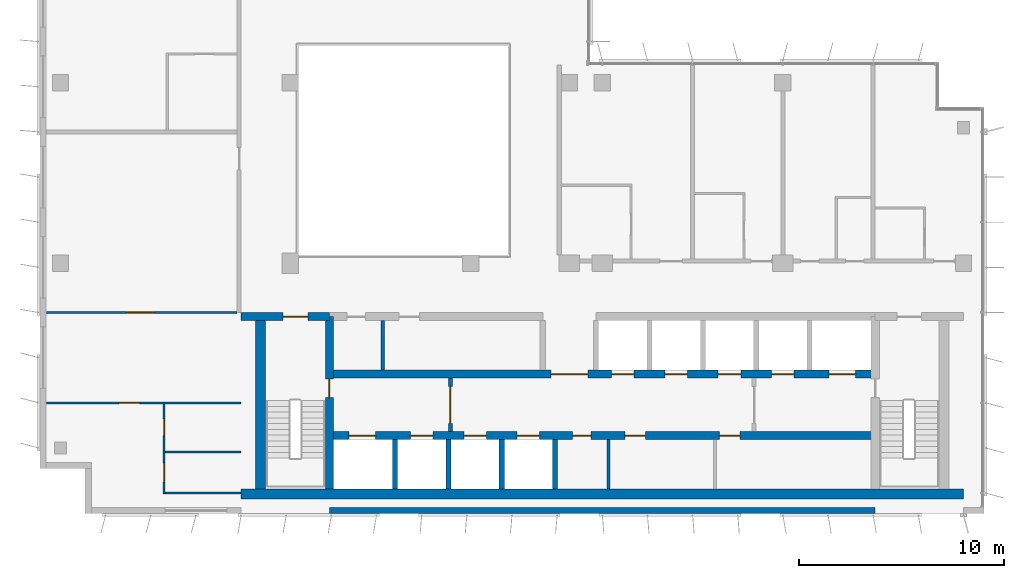
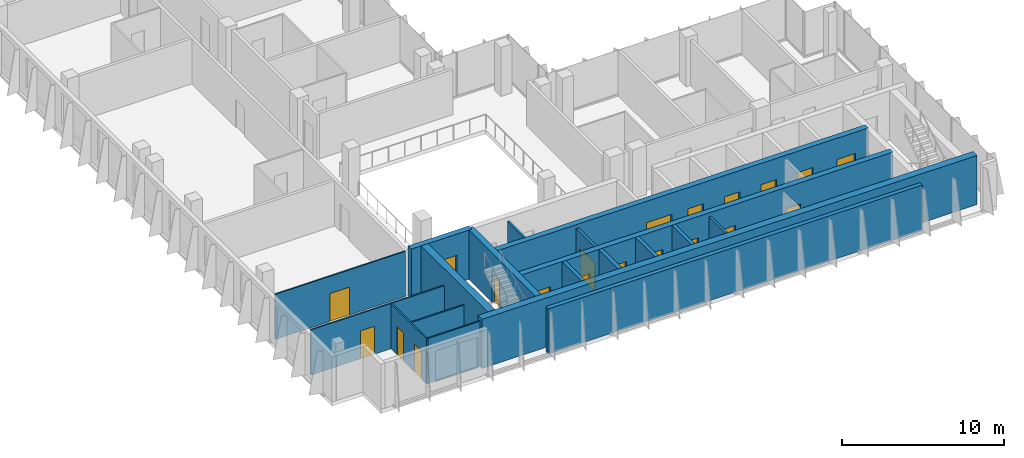
# One storey, part 9 of 15: 20 doors, 19 walls, 20 openings.
"""IFC4 building model written with IfcOpenShell, lengths in metres."""

from ifc_helpers import new_model, si_unit, direction, frame, frame_2d, origin, place, context, subcontext, project, spatial, rectangle, extrude, material, layer, layer_set, type_object, element, fill, save


model = new_model("IFC4")

# Units and contexts
model_context = context("Model", 3, precision=1e-05, world=origin(), true_north=direction((0.0, 1.0)))
body_context = subcontext(model_context, "Body", "Model", "MODEL_VIEW")
ifc_project = project(units=[si_unit("LENGTHUNIT", "METRE"), si_unit("AREAUNIT", "SQUARE_METRE"), si_unit("VOLUMEUNIT", "CUBIC_METRE"), si_unit("PLANEANGLEUNIT", "RADIAN"), si_unit("MASSUNIT", "GRAM", prefix="KILO")], contexts=[model_context])

# Site, building, storey
site_placement = place(None, origin())
site = spatial("IfcSite", under=ifc_project, at=site_placement, CompositionType="ELEMENT")
building_placement = place(site_placement, origin())
building = spatial("IfcBuilding", under=site, at=building_placement, Name="Kemantara Hotel Tower", CompositionType="ELEMENT")
storey_placement = place(building_placement, frame((0.0, 0.0, 290.699951171875)))
storey = spatial("IfcBuildingStorey", under=building, at=storey_placement, Name="L73", CompositionType="ELEMENT", Elevation=290.699951171875)

# Walls
ifc_material_1 = material(Name="Bronze anodised aluminium cladding on insulated steel stud wall", Category="steel")
ifc_layer_1 = layer(ifc_material_1, 0.300048828125)
ifc_layer_set_1 = layer_set([ifc_layer_1], Name="Bronze anodised aluminium cladding on insulated steel stud wall")
wall_type_1 = type_object("IfcWallType", Name="BRONZE METAL-CLAD EXTERNAL WALL 300", PredefinedType="STANDARD", material=ifc_layer_set_1)
wall_1_placement = place(storey_placement, frame((14.10009765625, 0.14990234375, 0.0), z_axis=(0.0, 0.0, 1.0), x_axis=(1.0, 0.0, 0.0)))
element("IfcWall", 1, at=wall_1_placement, inside=storey, type_object=wall_type_1, Name="EXTERNAL WALL L73 T4-R08-2", PredefinedType="STANDARD", context=body_context, shape_type="SweptSolid", body=[
    extrude(rectangle(XDim=26.599853515625, YDim=0.300048828125, at=frame_2d((13.2998046875, 0.0))), origin(), (0.0, 0.0, 1.0), 3.400146484375),
])
ifc_material_2 = material(Name="Concrete fc 50 MPa", Category="concrete")
ifc_layer_2 = layer(ifc_material_2, 0.25)
ifc_layer_set_2 = layer_set([ifc_layer_2], Name="Concrete fc 50 MPa")
wall_type_2 = type_object("IfcWallType", Name="CORE WALL 250 FC50", PredefinedType="SHEAR", material=ifc_layer_set_2)
for number, where, z_axis, x_axis, name in (
    (2, (17.300048828125, 1.199951171875, 0.0), (0.0, 0.0, 1.0), (0.0, 1.0, 0.0), "CORE WALL CW-DS17.3"),
    (3, (19.89990234375, 1.199951171875, 0.0), (0.0, 0.0, 1.0), (0.0, 1.0, 0.0), "CORE WALL CW-DS19.9"),
    (4, (22.5, 1.199951171875, 0.0), (0.0, 0.0, 1.0), (0.0, 1.0, 0.0), "CORE WALL CW-DS22.5"),
    (5, (25.10009765625, 1.199951171875, 0.0), (0.0, 0.0, 1.0), (0.0, 1.0, 0.0), "CORE WALL CW-DS25.1"),
):
    element("IfcWall", number, at=place(storey_placement, frame(where, z_axis=z_axis, x_axis=x_axis)), inside=storey, type_object=wall_type_2, Name=name, PredefinedType="SHEAR", context=body_context, shape_type="SweptSolid", body=[
        extrude(rectangle(XDim=2.400146484375, YDim=0.25, at=frame_2d((1.2001953125, 0.0))), origin(), (0.0, 0.0, 1.0), 3.699951171875),
    ])

# Wall, opening, door
ifc_layer_3 = layer(ifc_material_2, 0.39990234375)
ifc_layer_set_3 = layer_set([ifc_layer_3], Name="Concrete fc 50 MPa")
wall_type_3 = type_object("IfcWallType", Name="CORE WALL 400 FC50", PredefinedType="SHEAR", material=ifc_layer_set_3)
wall_2_placement = place(storey_placement, frame((9.800048828125, 9.60009765625, 0.0), z_axis=(0.0, 0.0, 1.0), x_axis=(1.0, 0.0, 0.0)))
wall_2 = element("IfcWall", 6, at=wall_2_placement, inside=storey, type_object=wall_type_3, Name="CORE WALL CW-N1", PredefinedType="SHEAR", context=body_context, shape_type="SweptSolid", body=[
    extrude(rectangle(XDim=4.300048828125, YDim=0.39990234375, at=frame_2d((2.14990234375, 0.0))), origin(), (0.0, 0.0, 1.0), 3.699951171875),
])
opening_1_placement = place(wall_2_placement, frame((2.050048828125, 0.0, 0.0)))
opening_1 = element("IfcOpeningElement", 7, at=opening_1_placement, cuts=wall_2, Name="Opening C41-ST1-C", PredefinedType="OPENING", context=body_context, shape_type="SweptSolid", body=[
    extrude(rectangle(XDim=1.199951171875, YDim=2.10009765625, at=frame_2d((0.60009765625, 1.050048828125))), frame((0.0, 0.2099609375, 0.0), z_axis=(0.0, -1.0, 0.0), x_axis=(1.0, 0.0, 0.0)), (0.0, 0.0, 1.0), 0.419921875),
])
ifc_material_3 = material(Name="Steel fire door", Category="steel")
door_type_1 = type_object("IfcDoorType", Name="Fire door FD90 1200 x 2100", OperationType="NOTDEFINED", PredefinedType="DOOR", material=ifc_material_3)
door_1_placement = place(opening_1_placement, frame((1.199951171875, 0.0, 0.0), z_axis=(0.0, 0.0, 1.0), x_axis=(-1.0, 0.0, 0.0)))
door_1 = element("IfcDoor", 8, at=door_1_placement, inside=storey, type_object=door_type_1, Name="Stair ST1 door to corridor", OperationType="SINGLE_SWING_LEFT", OverallHeight=2.10009765625, OverallWidth=1.199951171875, PredefinedType="DOOR", context=body_context, shape_type="SweptSolid", body=[
    extrude(rectangle(XDim=1.199951171875, YDim=2.10009765625, at=frame_2d((0.60009765625, 1.050048828125))), frame((0.0, 0.02490234375, 0.0), z_axis=(0.0, -1.0, 0.0), x_axis=(1.0, 0.0, 0.0)), (0.0, 0.0, 1.0), 0.050048828125),
])
fill(opening_1, door_1)

# Wall, openings, doors
wall_3_placement = place(storey_placement, frame((14.10009765625, 3.800048828125, 0.0), z_axis=(0.0, 0.0, 1.0), x_axis=(1.0, 0.0, 0.0)))
wall_3 = element("IfcWall", 9, at=wall_3_placement, inside=storey, type_object=wall_type_3, Name="CORE WALL CW-L1", PredefinedType="SHEAR", context=body_context, shape_type="SweptSolid", body=[
    extrude(rectangle(XDim=26.599853515625, YDim=0.39990234375, at=frame_2d((13.2998046875, 0.0))), origin(), (0.0, 0.0, 1.0), 3.699951171875),
])
opening_2_placement = place(wall_3_placement, frame((0.949951171875, 0.0, 0.0)))
opening_2 = element("IfcOpeningElement", 10, at=opening_2_placement, cuts=wall_3, Name="Opening C41-LD-FF1", PredefinedType="OPENING", context=body_context, shape_type="SweptSolid", body=[
    extrude(rectangle(XDim=1.300048828125, YDim=2.10009765625, at=frame_2d((0.64990234375, 1.050048828125))), frame((0.0, 0.2099609375, 0.0), z_axis=(0.0, -1.0, 0.0), x_axis=(1.0, 0.0, 0.0)), (0.0, 0.0, 1.0), 0.419921875),
])
opening_3_placement = place(wall_3_placement, frame((3.949951171875, 0.0, 0.0)))
opening_3 = element("IfcOpeningElement", 11, at=opening_3_placement, cuts=wall_3, Name="Opening C41-LD-SV1", PredefinedType="OPENING", context=body_context, shape_type="SweptSolid", body=[
    extrude(rectangle(XDim=1.10009765625, YDim=2.10009765625, at=frame_2d((0.550048828125, 1.050048828125))), frame((0.0, 0.2099609375, 0.0), z_axis=(0.0, -1.0, 0.0), x_axis=(1.0, 0.0, 0.0)), (0.0, 0.0, 1.0), 0.419921875),
])
opening_4_placement = place(wall_3_placement, frame((6.550048828125, 0.0, 0.0)))
opening_4 = element("IfcOpeningElement", 12, at=opening_4_placement, cuts=wall_3, Name="Opening C41-LD-SV2", PredefinedType="OPENING", context=body_context, shape_type="SweptSolid", body=[
    extrude(rectangle(XDim=1.10009765625, YDim=2.10009765625, at=frame_2d((0.550048828125, 1.050048828125))), frame((0.0, 0.2099609375, 0.0), z_axis=(0.0, -1.0, 0.0), x_axis=(1.0, 0.0, 0.0)), (0.0, 0.0, 1.0), 0.419921875),
])
opening_5_placement = place(wall_3_placement, frame((9.14990234375, 0.0, 0.0)))
opening_5 = element("IfcOpeningElement", 13, at=opening_5_placement, cuts=wall_3, Name="Opening C41-LD-SV3", PredefinedType="OPENING", context=body_context, shape_type="SweptSolid", body=[
    extrude(rectangle(XDim=1.10009765625, YDim=2.10009765625, at=frame_2d((0.550048828125, 1.050048828125))), frame((0.0, 0.2099609375, 0.0), z_axis=(0.0, -1.0, 0.0), x_axis=(1.0, 0.0, 0.0)), (0.0, 0.0, 1.0), 0.419921875),
])
opening_6_placement = place(wall_3_placement, frame((11.85009765625, 0.0, 0.0)))
opening_6 = element("IfcOpeningElement", 14, at=opening_6_placement, cuts=wall_3, Name="Opening C41-R-SM1", PredefinedType="OPENING", context=body_context, shape_type="SweptSolid", body=[
    extrude(rectangle(XDim=0.89990234375, YDim=2.10009765625, at=frame_2d((0.449951171875, 1.050048828125))), frame((0.0, 0.2099609375, 0.0), z_axis=(0.0, -1.0, 0.0), x_axis=(1.0, 0.0, 0.0)), (0.0, 0.0, 1.0), 0.419921875),
])
opening_7_placement = place(wall_3_placement, frame((14.39990234375, 0.0, 0.0)))
opening_7 = element("IfcOpeningElement", 15, at=opening_7_placement, cuts=wall_3, Name="Opening C41-R-SM2", PredefinedType="OPENING", context=body_context, shape_type="SweptSolid", body=[
    extrude(rectangle(XDim=1.0, YDim=2.10009765625, at=frame_2d((0.5, 1.050048828125))), frame((0.0, 0.2099609375, 0.0), z_axis=(0.0, -1.0, 0.0), x_axis=(1.0, 0.0, 0.0)), (0.0, 0.0, 1.0), 0.419921875),
])
opening_8_placement = place(wall_3_placement, frame((19.0, 0.0, 0.0)))
opening_8 = element("IfcOpeningElement", 16, at=opening_8_placement, cuts=wall_3, Name="Opening C41-R-SM3", PredefinedType="OPENING", context=body_context, shape_type="SweptSolid", body=[
    extrude(rectangle(XDim=1.0, YDim=2.10009765625, at=frame_2d((0.5, 1.050048828125))), frame((0.0, 0.2099609375, 0.0), z_axis=(0.0, -1.0, 0.0), x_axis=(1.0, 0.0, 0.0)), (0.0, 0.0, 1.0), 0.419921875),
])
door_type_2 = type_object("IfcDoorType", Name="Fire door FD30S 1000 x 2100", OperationType="NOTDEFINED", PredefinedType="DOOR", material=ifc_material_3)
door_2_placement = place(opening_7_placement, frame((1.0, 0.0, 0.0), z_axis=(0.0, 0.0, 1.0), x_axis=(-1.0, 0.0, 0.0)))
door_2 = element("IfcDoor", 17, at=door_2_placement, inside=storey, type_object=door_type_2, Name="Staff Lounge door", OperationType="SINGLE_SWING_LEFT", OverallHeight=2.10009765625, OverallWidth=1.0, PredefinedType="DOOR", context=body_context, shape_type="SweptSolid", body=[
    extrude(rectangle(XDim=1.0, YDim=2.10009765625, at=frame_2d((0.5, 1.050048828125))), frame((0.0, 0.02490234375, 0.0), z_axis=(0.0, -1.0, 0.0), x_axis=(1.0, 0.0, 0.0)), (0.0, 0.0, 1.0), 0.050048828125),
])
fill(opening_7, door_2)
door_3_placement = place(opening_8_placement, frame((1.0, 0.0, 0.0), z_axis=(0.0, 0.0, 1.0), x_axis=(-1.0, 0.0, 0.0)))
door_3 = element("IfcDoor", 18, at=door_3_placement, inside=storey, type_object=door_type_2, Name="Linen Store door", OperationType="SINGLE_SWING_LEFT", OverallHeight=2.10009765625, OverallWidth=1.0, PredefinedType="DOOR", context=body_context, shape_type="SweptSolid", body=[
    extrude(rectangle(XDim=1.0, YDim=2.10009765625, at=frame_2d((0.5, 1.050048828125))), frame((0.0, 0.02490234375, 0.0), z_axis=(0.0, -1.0, 0.0), x_axis=(1.0, 0.0, 0.0)), (0.0, 0.0, 1.0), 0.050048828125),
])
fill(opening_8, door_3)
door_type_3 = type_object("IfcDoorType", Name="Fire door FD60 900 x 2100", OperationType="NOTDEFINED", PredefinedType="DOOR", material=ifc_material_3)
door_4_placement = place(opening_6_placement, frame((0.89990234375, 0.0, 0.0), z_axis=(0.0, 0.0, 1.0), x_axis=(-1.0, 0.0, 0.0)))
door_4 = element("IfcDoor", 19, at=door_4_placement, inside=storey, type_object=door_type_3, Name="Electrical Riser Room door", OperationType="SINGLE_SWING_RIGHT", OverallHeight=2.10009765625, OverallWidth=0.89990234375, PredefinedType="DOOR", context=body_context, shape_type="SweptSolid", body=[
    extrude(rectangle(XDim=0.89990234375, YDim=2.10009765625, at=frame_2d((0.449951171875, 1.050048828125))), frame((0.0, 0.02490234375, 0.0), z_axis=(0.0, -1.0, 0.0), x_axis=(1.0, 0.0, 0.0)), (0.0, 0.0, 1.0), 0.050048828125),
])
fill(opening_6, door_4)
ifc_material_4 = material(Name="Stainless steel lift door", Category="steel")
door_type_4 = type_object("IfcDoorType", Name="Lift landing door 1100 x 2100 FD60", OperationType="DOUBLE_DOOR_SLIDING", PredefinedType="DOOR", material=ifc_material_4)
door_5_placement = place(opening_3_placement, origin())
door_5 = element("IfcDoor", 20, at=door_5_placement, inside=storey, type_object=door_type_4, Name="Lift SV1 landing door", OperationType="DOUBLE_DOOR_SLIDING", OverallHeight=2.10009765625, OverallWidth=1.10009765625, PredefinedType="DOOR", context=body_context, shape_type="SweptSolid", body=[
    extrude(rectangle(XDim=1.10009765625, YDim=2.10009765625, at=frame_2d((0.550048828125, 1.050048828125))), frame((0.0, 0.02490234375, 0.0), z_axis=(0.0, -1.0, 0.0), x_axis=(1.0, 0.0, 0.0)), (0.0, 0.0, 1.0), 0.050048828125),
])
fill(opening_3, door_5)
door_6_placement = place(opening_4_placement, origin())
door_6 = element("IfcDoor", 21, at=door_6_placement, inside=storey, type_object=door_type_4, Name="Lift SV2 landing door", OperationType="DOUBLE_DOOR_SLIDING", OverallHeight=2.10009765625, OverallWidth=1.10009765625, PredefinedType="DOOR", context=body_context, shape_type="SweptSolid", body=[
    extrude(rectangle(XDim=1.10009765625, YDim=2.10009765625, at=frame_2d((0.550048828125, 1.050048828125))), frame((0.0, 0.02490234375, 0.0), z_axis=(0.0, -1.0, 0.0), x_axis=(1.0, 0.0, 0.0)), (0.0, 0.0, 1.0), 0.050048828125),
])
fill(opening_4, door_6)
door_7_placement = place(opening_5_placement, origin())
door_7 = element("IfcDoor", 22, at=door_7_placement, inside=storey, type_object=door_type_4, Name="Lift SV3 landing door", OperationType="DOUBLE_DOOR_SLIDING", OverallHeight=2.10009765625, OverallWidth=1.10009765625, PredefinedType="DOOR", context=body_context, shape_type="SweptSolid", body=[
    extrude(rectangle(XDim=1.10009765625, YDim=2.10009765625, at=frame_2d((0.550048828125, 1.050048828125))), frame((0.0, 0.02490234375, 0.0), z_axis=(0.0, -1.0, 0.0), x_axis=(1.0, 0.0, 0.0)), (0.0, 0.0, 1.0), 0.050048828125),
])
fill(opening_5, door_7)
door_type_5 = type_object("IfcDoorType", Name="Lift landing door 1300 x 2100 FD90", OperationType="DOUBLE_DOOR_SLIDING", PredefinedType="DOOR", material=ifc_material_4)
door_8_placement = place(opening_2_placement, origin())
door_8 = element("IfcDoor", 23, at=door_8_placement, inside=storey, type_object=door_type_5, Name="Lift FF1 landing door", OperationType="DOUBLE_DOOR_SLIDING", OverallHeight=2.10009765625, OverallWidth=1.300048828125, PredefinedType="DOOR", context=body_context, shape_type="SweptSolid", body=[
    extrude(rectangle(XDim=1.300048828125, YDim=2.10009765625, at=frame_2d((0.64990234375, 1.050048828125))), frame((0.0, 0.02490234375, 0.0), z_axis=(0.0, -1.0, 0.0), x_axis=(1.0, 0.0, 0.0)), (0.0, 0.0, 1.0), 0.050048828125),
])
fill(opening_2, door_8)

wall_4_placement = place(storey_placement, frame((14.10009765625, 6.800048828125, 0.0), z_axis=(0.0, 0.0, 1.0), x_axis=(1.0, 0.0, 0.0)))
wall_4 = element("IfcWall", 24, at=wall_4_placement, inside=storey, type_object=wall_type_3, Name="CORE WALL CW-L2", PredefinedType="SHEAR", context=body_context, shape_type="SweptSolid", body=[
    extrude(rectangle(XDim=26.599853515625, YDim=0.39990234375, at=frame_2d((13.2998046875, 0.0))), origin(), (0.0, 0.0, 1.0), 3.699951171875),
])
opening_9_placement = place(wall_4_placement, frame((10.800048828125, 0.0, 0.0)))
opening_9 = element("IfcOpeningElement", 25, at=opening_9_placement, cuts=wall_4, Name="Opening C41-VL", PredefinedType="OPENING", context=body_context, shape_type="SweptSolid", body=[
    extrude(rectangle(XDim=1.800048828125, YDim=2.10009765625, at=frame_2d((0.89990234375, 1.050048828125))), frame((0.0, 0.2099609375, 0.0), z_axis=(0.0, -1.0, 0.0), x_axis=(1.0, 0.0, 0.0)), (0.0, 0.0, 1.0), 0.419921875),
])
opening_10_placement = place(wall_4_placement, frame((13.75, 0.0, 0.0)))
opening_10 = element("IfcOpeningElement", 26, at=opening_10_placement, cuts=wall_4, Name="Opening C41-LD-HR1", PredefinedType="OPENING", context=body_context, shape_type="SweptSolid", body=[
    extrude(rectangle(XDim=1.10009765625, YDim=2.10009765625, at=frame_2d((0.550048828125, 1.050048828125))), frame((0.0, 0.2099609375, 0.0), z_axis=(0.0, -1.0, 0.0), x_axis=(1.0, 0.0, 0.0)), (0.0, 0.0, 1.0), 0.419921875),
])
opening_11_placement = place(wall_4_placement, frame((16.35009765625, 0.0, 0.0)))
opening_11 = element("IfcOpeningElement", 27, at=opening_11_placement, cuts=wall_4, Name="Opening C41-LD-HR2", PredefinedType="OPENING", context=body_context, shape_type="SweptSolid", body=[
    extrude(rectangle(XDim=1.10009765625, YDim=2.10009765625, at=frame_2d((0.550048828125, 1.050048828125))), frame((0.0, 0.2099609375, 0.0), z_axis=(0.0, -1.0, 0.0), x_axis=(1.0, 0.0, 0.0)), (0.0, 0.0, 1.0), 0.419921875),
])
opening_12_placement = place(wall_4_placement, frame((18.949951171875, 0.0, 0.0)))
opening_12 = element("IfcOpeningElement", 28, at=opening_12_placement, cuts=wall_4, Name="Opening C41-LD-HR3", PredefinedType="OPENING", context=body_context, shape_type="SweptSolid", body=[
    extrude(rectangle(XDim=1.10009765625, YDim=2.10009765625, at=frame_2d((0.550048828125, 1.050048828125))), frame((0.0, 0.2099609375, 0.0), z_axis=(0.0, -1.0, 0.0), x_axis=(1.0, 0.0, 0.0)), (0.0, 0.0, 1.0), 0.419921875),
])
opening_13_placement = place(wall_4_placement, frame((21.550048828125, 0.0, 0.0)))
opening_13 = element("IfcOpeningElement", 29, at=opening_13_placement, cuts=wall_4, Name="Opening C41-LD-HR4", PredefinedType="OPENING", context=body_context, shape_type="SweptSolid", body=[
    extrude(rectangle(XDim=1.10009765625, YDim=2.10009765625, at=frame_2d((0.550048828125, 1.050048828125))), frame((0.0, 0.2099609375, 0.0), z_axis=(0.0, -1.0, 0.0), x_axis=(1.0, 0.0, 0.0)), (0.0, 0.0, 1.0), 0.419921875),
])
opening_14_placement = place(wall_4_placement, frame((24.35009765625, 0.0, 0.0)))
opening_14 = element("IfcOpeningElement", 30, at=opening_14_placement, cuts=wall_4, Name="Opening C41-LD-FF2", PredefinedType="OPENING", context=body_context, shape_type="SweptSolid", body=[
    extrude(rectangle(XDim=1.300048828125, YDim=2.10009765625, at=frame_2d((0.64990234375, 1.050048828125))), frame((0.0, 0.2099609375, 0.0), z_axis=(0.0, -1.0, 0.0), x_axis=(1.0, 0.0, 0.0)), (0.0, 0.0, 1.0), 0.419921875),
])
door_type_6 = type_object("IfcDoorType", Name="Fire door pair FD60 1800 x 2100", OperationType="DOUBLE_DOOR_SINGLE_SWING", PredefinedType="DOOR", material=ifc_material_3)
door_9_placement = place(opening_9_placement, frame((1.800048828125, 0.0, 0.0), z_axis=(0.0, 0.0, 1.0), x_axis=(-1.0, 0.0, 0.0)))
door_9 = element("IfcDoor", 31, at=door_9_placement, inside=storey, type_object=door_type_6, Name="Lift lobby entry door", OperationType="DOUBLE_DOOR_SINGLE_SWING", OverallHeight=2.10009765625, OverallWidth=1.800048828125, PredefinedType="DOOR", context=body_context, shape_type="SweptSolid", body=[
    extrude(rectangle(XDim=1.800048828125, YDim=2.10009765625, at=frame_2d((0.89990234375, 1.050048828125))), frame((0.0, 0.02490234375, 0.0), z_axis=(0.0, -1.0, 0.0), x_axis=(1.0, 0.0, 0.0)), (0.0, 0.0, 1.0), 0.050048828125),
])
fill(opening_9, door_9)
door_10_placement = place(opening_10_placement, origin())
door_10 = element("IfcDoor", 32, at=door_10_placement, inside=storey, type_object=door_type_4, Name="Lift HR1 landing door", OperationType="DOUBLE_DOOR_SLIDING", OverallHeight=2.10009765625, OverallWidth=1.10009765625, PredefinedType="DOOR", context=body_context, shape_type="SweptSolid", body=[
    extrude(rectangle(XDim=1.10009765625, YDim=2.10009765625, at=frame_2d((0.550048828125, 1.050048828125))), frame((0.0, 0.02490234375, 0.0), z_axis=(0.0, -1.0, 0.0), x_axis=(1.0, 0.0, 0.0)), (0.0, 0.0, 1.0), 0.050048828125),
])
fill(opening_10, door_10)
door_11_placement = place(opening_11_placement, origin())
door_11 = element("IfcDoor", 33, at=door_11_placement, inside=storey, type_object=door_type_4, Name="Lift HR2 landing door", OperationType="DOUBLE_DOOR_SLIDING", OverallHeight=2.10009765625, OverallWidth=1.10009765625, PredefinedType="DOOR", context=body_context, shape_type="SweptSolid", body=[
    extrude(rectangle(XDim=1.10009765625, YDim=2.10009765625, at=frame_2d((0.550048828125, 1.050048828125))), frame((0.0, 0.02490234375, 0.0), z_axis=(0.0, -1.0, 0.0), x_axis=(1.0, 0.0, 0.0)), (0.0, 0.0, 1.0), 0.050048828125),
])
fill(opening_11, door_11)
door_12_placement = place(opening_12_placement, origin())
door_12 = element("IfcDoor", 34, at=door_12_placement, inside=storey, type_object=door_type_4, Name="Lift HR3 landing door", OperationType="DOUBLE_DOOR_SLIDING", OverallHeight=2.10009765625, OverallWidth=1.10009765625, PredefinedType="DOOR", context=body_context, shape_type="SweptSolid", body=[
    extrude(rectangle(XDim=1.10009765625, YDim=2.10009765625, at=frame_2d((0.550048828125, 1.050048828125))), frame((0.0, 0.02490234375, 0.0), z_axis=(0.0, -1.0, 0.0), x_axis=(1.0, 0.0, 0.0)), (0.0, 0.0, 1.0), 0.050048828125),
])
fill(opening_12, door_12)
door_13_placement = place(opening_13_placement, origin())
door_13 = element("IfcDoor", 35, at=door_13_placement, inside=storey, type_object=door_type_4, Name="Lift HR4 landing door", OperationType="DOUBLE_DOOR_SLIDING", OverallHeight=2.10009765625, OverallWidth=1.10009765625, PredefinedType="DOOR", context=body_context, shape_type="SweptSolid", body=[
    extrude(rectangle(XDim=1.10009765625, YDim=2.10009765625, at=frame_2d((0.550048828125, 1.050048828125))), frame((0.0, 0.02490234375, 0.0), z_axis=(0.0, -1.0, 0.0), x_axis=(1.0, 0.0, 0.0)), (0.0, 0.0, 1.0), 0.050048828125),
])
fill(opening_13, door_13)
door_14_placement = place(opening_14_placement, origin())
door_14 = element("IfcDoor", 36, at=door_14_placement, inside=storey, type_object=door_type_5, Name="Lift FF2 landing door", OperationType="DOUBLE_DOOR_SLIDING", OverallHeight=2.10009765625, OverallWidth=1.300048828125, PredefinedType="DOOR", context=body_context, shape_type="SweptSolid", body=[
    extrude(rectangle(XDim=1.300048828125, YDim=2.10009765625, at=frame_2d((0.64990234375, 1.050048828125))), frame((0.0, 0.02490234375, 0.0), z_axis=(0.0, -1.0, 0.0), x_axis=(1.0, 0.0, 0.0)), (0.0, 0.0, 1.0), 0.050048828125),
])
fill(opening_14, door_14)

# Wall, opening, door
wall_5_placement = place(storey_placement, frame((14.10009765625, 1.199951171875, 0.0), z_axis=(0.0, 0.0, 1.0), x_axis=(0.0, 1.0, 0.0)))
wall_5 = element("IfcWall", 37, at=wall_5_placement, inside=storey, type_object=wall_type_3, Name="CORE WALL CW-ST1E", PredefinedType="SHEAR", context=body_context, shape_type="SweptSolid", body=[
    extrude(rectangle(XDim=8.400146484375, YDim=0.39990234375, at=frame_2d((4.2001953125, 0.0))), origin(), (0.0, 0.0, 1.0), 3.699951171875),
])
opening_15_placement = place(wall_5_placement, frame((4.449951171875, 0.0, 0.0)))
opening_15 = element("IfcOpeningElement", 38, at=opening_15_placement, cuts=wall_5, Name="Opening C41-ST1-F", PredefinedType="OPENING", context=body_context, shape_type="SweptSolid", body=[
    extrude(rectangle(XDim=0.89990234375, YDim=2.10009765625, at=frame_2d((0.449951171875, 1.050048828125))), frame((0.0, 0.2099609375, 0.0), z_axis=(0.0, -1.0, 0.0), x_axis=(1.0, 0.0, 0.0)), (0.0, 0.0, 1.0), 0.419921875),
])
door_type_7 = type_object("IfcDoorType", Name="Fire door FD90 900 x 2100", OperationType="NOTDEFINED", PredefinedType="DOOR", material=ifc_material_3)
door_15_placement = place(opening_15_placement, origin())
door_15 = element("IfcDoor", 39, at=door_15_placement, inside=storey, type_object=door_type_7, Name="Stair ST1 door to firefighting lobby", OperationType="SINGLE_SWING_RIGHT", OverallHeight=2.10009765625, OverallWidth=0.89990234375, PredefinedType="DOOR", context=body_context, shape_type="SweptSolid", body=[
    extrude(rectangle(XDim=0.89990234375, YDim=2.10009765625, at=frame_2d((0.449951171875, 1.050048828125))), frame((0.0, 0.02490234375, 0.0), z_axis=(0.0, -1.0, 0.0), x_axis=(1.0, 0.0, 0.0)), (0.0, 0.0, 1.0), 0.050048828125),
])
fill(opening_15, door_15)

# Walls
ifc_layer_4 = layer(ifc_material_2, 0.5)
ifc_layer_set_4 = layer_set([ifc_layer_4], Name="Concrete fc 50 MPa")
wall_type_4 = type_object("IfcWallType", Name="CORE WALL 500 FC50", PredefinedType="SHEAR", material=ifc_layer_set_4)
wall_6_placement = place(storey_placement, frame((9.800048828125, 0.949951171875, 0.0), z_axis=(0.0, 0.0, 1.0), x_axis=(1.0, 0.0, 0.0)))
element("IfcWall", 40, at=wall_6_placement, inside=storey, type_object=wall_type_4, Name="CORE WALL CW-S", PredefinedType="SHEAR", context=body_context, shape_type="SweptSolid", body=[
    extrude(rectangle(XDim=35.199951171875, YDim=0.5, at=frame_2d((17.60009765625, 0.0))), origin(), (0.0, 0.0, 1.0), 3.699951171875),
])
wall_7_placement = place(storey_placement, frame((10.75, 1.199951171875, 0.0), z_axis=(0.0, 0.0, 1.0), x_axis=(0.0, 1.0, 0.0)))
element("IfcWall", 41, at=wall_7_placement, inside=storey, type_object=wall_type_4, Name="CORE WALL CW-W", PredefinedType="SHEAR", context=body_context, shape_type="SweptSolid", body=[
    extrude(rectangle(XDim=8.60009765625, YDim=0.5, at=frame_2d((4.300048828125, 0.0))), origin(), (0.0, 0.0, 1.0), 3.699951171875),
])
ifc_material_5 = material(Name="Gypsum board partition")
ifc_layer_5 = layer(ifc_material_5, 0.14990234375)
ifc_layer_set_5 = layer_set([ifc_layer_5], Name="Gypsum board partition")
wall_type_5 = type_object("IfcWallType", Name="Gypsum board partition 150 mm", PredefinedType="PARTITIONING", material=ifc_layer_set_5)
wall_8_placement = place(storey_placement, frame((16.699951171875, 7.0, 0.0), z_axis=(0.0, 0.0, 1.0), x_axis=(0.0, 1.0, 0.0)))
element("IfcWall", 42, at=wall_8_placement, inside=storey, type_object=wall_type_5, Name="Core room partition", PredefinedType="PARTITIONING", context=body_context, shape_type="SweptSolid", body=[
    extrude(rectangle(XDim=2.39990234375, YDim=0.14990234375, at=frame_2d((1.199951171875, 0.0))), origin(), (0.0, 0.0, 1.0), 3.400146484375),
])
wall_9_placement = place(storey_placement, frame((27.699951171875, 1.199951171875, 0.0), z_axis=(0.0, 0.0, 1.0), x_axis=(0.0, 1.0, 0.0)))
element("IfcWall", 43, at=wall_9_placement, inside=storey, type_object=wall_type_5, Name="Core room partition", PredefinedType="PARTITIONING", context=body_context, shape_type="SweptSolid", body=[
    extrude(rectangle(XDim=2.400146484375, YDim=0.14990234375, at=frame_2d((1.2001953125, 0.0))), origin(), (0.0, 0.0, 1.0), 3.400146484375),
])

# Wall, opening, door
ifc_material_6 = material(Name="Gypsum board shaft wall")
ifc_layer_6 = layer(ifc_material_6, 0.199951171875)
ifc_layer_set_6 = layer_set([ifc_layer_6], Name="Gypsum board shaft wall")
wall_type_6 = type_object("IfcWallType", Name="Gypsum board shaft wall 200 mm", PredefinedType="PARTITIONING", material=ifc_layer_set_6)
wall_10_placement = place(storey_placement, frame((20.0, 4.0, 0.0), z_axis=(0.0, 0.0, 1.0), x_axis=(0.0, 1.0, 0.0)))
wall_10 = element("IfcWall", 44, at=wall_10_placement, inside=storey, type_object=wall_type_6, Name="Firefighting lobby partition west", PredefinedType="PARTITIONING", context=body_context, shape_type="SweptSolid", body=[
    extrude(rectangle(XDim=2.60009765625, YDim=0.199951171875, at=frame_2d((1.300048828125, 0.0))), origin(), (0.0, 0.0, 1.0), 3.400146484375),
])
opening_16_placement = place(wall_10_placement, frame((0.39990234375, 0.0, 0.0)))
opening_16 = element("IfcOpeningElement", 45, at=opening_16_placement, cuts=wall_10, Name="Opening C41-FFW", PredefinedType="OPENING", context=body_context, shape_type="SweptSolid", body=[
    extrude(rectangle(XDim=1.800048828125, YDim=2.10009765625, at=frame_2d((0.89990234375, 1.050048828125))), frame((0.0, 0.10986328125, 0.0), z_axis=(0.0, -1.0, 0.0), x_axis=(1.0, 0.0, 0.0)), (0.0, 0.0, 1.0), 0.219970703125),
])
door_16_placement = place(opening_16_placement, origin())
door_16 = element("IfcDoor", 46, at=door_16_placement, inside=storey, type_object=door_type_6, Name="Firefighting lobby door west", OperationType="DOUBLE_DOOR_SINGLE_SWING", OverallHeight=2.10009765625, OverallWidth=1.800048828125, PredefinedType="DOOR", context=body_context, shape_type="SweptSolid", body=[
    extrude(rectangle(XDim=1.800048828125, YDim=2.10009765625, at=frame_2d((0.89990234375, 1.050048828125))), frame((0.0, 0.02490234375, 0.0), z_axis=(0.0, -1.0, 0.0), x_axis=(1.0, 0.0, 0.0)), (0.0, 0.0, 1.0), 0.050048828125),
])
fill(opening_16, door_16)

# Wall, openings, doors
ifc_material_7 = material(Name="Gypsum board partition on steel studs, 100 mm", Category="steel")
ifc_layer_7 = layer(ifc_material_7, 0.10009765625)
ifc_layer_set_7 = layer_set([ifc_layer_7], Name="Gypsum board partition on steel studs, 100 mm")
wall_type_7 = type_object("IfcWallType", Name="ROOM PARTITION 100", PredefinedType="PARTITIONING", material=ifc_layer_set_7)
wall_11_placement = place(storey_placement, frame((6.050048828125, 5.35009765625, 0.0), z_axis=(0.0, 0.0, 1.0), x_axis=(0.0, -1.0, 0.0)))
wall_11 = element("IfcWall", 47, at=wall_11_placement, inside=storey, type_object=wall_type_7, Name="ROOM PARTITION 100 031", PredefinedType="PARTITIONING", context=body_context, shape_type="SweptSolid", body=[
    extrude(rectangle(XDim=4.400146484375, YDim=0.10009765625, at=frame_2d((2.2001953125, 0.0))), origin(), (0.0, 0.0, 1.0), 3.400146484375),
])
opening_17_placement = place(wall_11_placement, frame((2.89990234375, 0.0, 0.0)))
opening_17 = element("IfcOpeningElement", 48, at=opening_17_placement, cuts=wall_11, Name="Opening F36-012", PredefinedType="OPENING", context=body_context, shape_type="SweptSolid", body=[
    extrude(rectangle(XDim=0.89990234375, YDim=2.10009765625, at=frame_2d((0.449951171875, 1.050048828125))), frame((0.0, 0.06005859375, 0.0), z_axis=(0.0, -1.0, 0.0), x_axis=(1.0, 0.0, 0.0)), (0.0, 0.0, 1.0), 0.1201171875),
])
opening_18_placement = place(wall_11_placement, frame((0.75, 0.0, 0.0)))
opening_18 = element("IfcOpeningElement", 49, at=opening_18_placement, cuts=wall_11, Name="Opening F36-013", PredefinedType="OPENING", context=body_context, shape_type="SweptSolid", body=[
    extrude(rectangle(XDim=0.800048828125, YDim=2.10009765625, at=frame_2d((0.39990234375, 1.050048828125))), frame((0.0, 0.06005859375, 0.0), z_axis=(0.0, -1.0, 0.0), x_axis=(1.0, 0.0, 0.0)), (0.0, 0.0, 1.0), 0.1201171875),
])
ifc_material_8 = material(Name="Hardwood veneer door leaf with steel frame", Category="steel")
door_type_8 = type_object("IfcDoorType", Name="BATHROOM DOOR 900 X 2100", OperationType="NOTDEFINED", PredefinedType="DOOR", material=ifc_material_8)
door_17_placement = place(opening_17_placement, origin())
door_17 = element("IfcDoor", 50, at=door_17_placement, inside=storey, type_object=door_type_8, Name="BATHROOM DOOR F36-012", OperationType="SINGLE_SWING_LEFT", OverallHeight=2.10009765625, OverallWidth=0.89990234375, PredefinedType="DOOR", context=body_context, shape_type="SweptSolid", body=[
    extrude(rectangle(XDim=0.89990234375, YDim=2.10009765625, at=frame_2d((0.449951171875, 1.050048828125))), frame((0.0, 0.02490234375, 0.0), z_axis=(0.0, -1.0, 0.0), x_axis=(1.0, 0.0, 0.0)), (0.0, 0.0, 1.0), 0.050048828125),
])
fill(opening_17, door_17)
door_type_9 = type_object("IfcDoorType", Name="WARDROBE DOOR 800 X 2100", OperationType="NOTDEFINED", PredefinedType="DOOR", material=ifc_material_8)
door_18_placement = place(opening_18_placement, origin())
door_18 = element("IfcDoor", 51, at=door_18_placement, inside=storey, type_object=door_type_9, Name="WARDROBE DOOR F36-013", OperationType="SINGLE_SWING_LEFT", OverallHeight=2.10009765625, OverallWidth=0.800048828125, PredefinedType="DOOR", context=body_context, shape_type="SweptSolid", body=[
    extrude(rectangle(XDim=0.800048828125, YDim=2.10009765625, at=frame_2d((0.39990234375, 1.050048828125))), frame((0.0, 0.02490234375, 0.0), z_axis=(0.0, -1.0, 0.0), x_axis=(1.0, 0.0, 0.0)), (0.0, 0.0, 1.0), 0.050048828125),
])
fill(opening_18, door_18)

# Wall, opening, door
wall_12_placement = place(storey_placement, frame((9.60009765625, 9.800048828125, 0.0), z_axis=(0.0, 0.0, 1.0), x_axis=(-1.0, 0.0, 0.0)))
wall_12 = element("IfcWall", 52, at=wall_12_placement, inside=storey, type_object=wall_type_7, Name="ROOM PARTITION 100 032", PredefinedType="PARTITIONING", context=body_context, shape_type="SweptSolid", body=[
    extrude(rectangle(XDim=9.2900390625, YDim=0.10009765625, at=frame_2d((4.64501953125, 0.0))), origin(), (0.0, 0.0, 1.0), 3.400146484375),
])
opening_19_placement = place(wall_12_placement, frame((4.0, 0.0, 0.0)))
opening_19 = element("IfcOpeningElement", 53, at=opening_19_placement, cuts=wall_12, Name="Opening F36-010", PredefinedType="OPENING", context=body_context, shape_type="SweptSolid", body=[
    extrude(rectangle(XDim=1.39990234375, YDim=2.10009765625, at=frame_2d((0.699951171875, 1.050048828125))), frame((0.0, 0.06005859375, 0.0), z_axis=(0.0, -1.0, 0.0), x_axis=(1.0, 0.0, 0.0)), (0.0, 0.0, 1.0), 0.1201171875),
])
door_type_10 = type_object("IfcDoorType", Name="INTERNAL DOOR 1400 X 2100", OperationType="NOTDEFINED", PredefinedType="DOOR", material=ifc_material_8)
door_19_placement = place(opening_19_placement, origin())
door_19 = element("IfcDoor", 54, at=door_19_placement, inside=storey, type_object=door_type_10, Name="INTERNAL DOOR F36-010", OperationType="DOUBLE_DOOR_SINGLE_SWING", OverallHeight=2.10009765625, OverallWidth=1.39990234375, PredefinedType="DOOR", context=body_context, shape_type="SweptSolid", body=[
    extrude(rectangle(XDim=1.39990234375, YDim=2.10009765625, at=frame_2d((0.699951171875, 1.050048828125))), frame((0.0, 0.02490234375, 0.0), z_axis=(0.0, -1.0, 0.0), x_axis=(1.0, 0.0, 0.0)), (0.0, 0.0, 1.0), 0.050048828125),
])
fill(opening_19, door_19)

wall_13_placement = place(storey_placement, frame((9.7998046875, 5.39990234375, 0.0), z_axis=(0.0, 0.0, 1.0), x_axis=(-1.0, 0.0, 0.0)))
wall_13 = element("IfcWall", 55, at=wall_13_placement, inside=storey, type_object=wall_type_7, Name="ROOM PARTITION 100 033", PredefinedType="PARTITIONING", context=body_context, shape_type="SweptSolid", body=[
    extrude(rectangle(XDim=9.48974609375, YDim=0.10009765625, at=frame_2d((4.744873046875, 0.0))), origin(), (0.0, 0.0, 1.0), 3.400146484375),
])
opening_20_placement = place(wall_13_placement, frame((4.949951171875, 0.0, 0.0)))
opening_20 = element("IfcOpeningElement", 56, at=opening_20_placement, cuts=wall_13, Name="Opening F36-011", PredefinedType="OPENING", context=body_context, shape_type="SweptSolid", body=[
    extrude(rectangle(XDim=1.0, YDim=2.10009765625, at=frame_2d((0.5, 1.050048828125))), frame((0.0, 0.06005859375, 0.0), z_axis=(0.0, -1.0, 0.0), x_axis=(1.0, 0.0, 0.0)), (0.0, 0.0, 1.0), 0.1201171875),
])
door_type_11 = type_object("IfcDoorType", Name="INTERNAL DOOR 1000 X 2100", OperationType="NOTDEFINED", PredefinedType="DOOR", material=ifc_material_8)
door_20_placement = place(opening_20_placement, origin())
door_20 = element("IfcDoor", 57, at=door_20_placement, inside=storey, type_object=door_type_11, Name="INTERNAL DOOR F36-011", OperationType="SINGLE_SWING_LEFT", OverallHeight=2.10009765625, OverallWidth=1.0, PredefinedType="DOOR", context=body_context, shape_type="SweptSolid", body=[
    extrude(rectangle(XDim=1.0, YDim=2.10009765625, at=frame_2d((0.5, 1.050048828125))), frame((0.0, 0.02490234375, 0.0), z_axis=(0.0, -1.0, 0.0), x_axis=(1.0, 0.0, 0.0)), (0.0, 0.0, 1.0), 0.050048828125),
])
fill(opening_20, door_20)

# Walls
for number, where, z_axis, x_axis, name in (
    (58, (6.10009765625, 1.0, 0.0), (0.0, 0.0, 1.0), (1.0, 0.0, 0.0), "ROOM PARTITION 100 034"),
    (59, (6.10009765625, 3.0, 0.0), (0.0, 0.0, 1.0), (1.0, 0.0, 0.0), "ROOM PARTITION 100 035"),
):
    element("IfcWall", number, at=place(storey_placement, frame(where, z_axis=z_axis, x_axis=x_axis)), inside=storey, type_object=wall_type_7, Name=name, PredefinedType="PARTITIONING", context=body_context, shape_type="SweptSolid", body=[
        extrude(rectangle(XDim=3.69970703125, YDim=0.10009765625, at=frame_2d((1.849853515625, 0.0))), origin(), (0.0, 0.0, 1.0), 3.400146484375),
    ])

save(model, "model.ifc")
